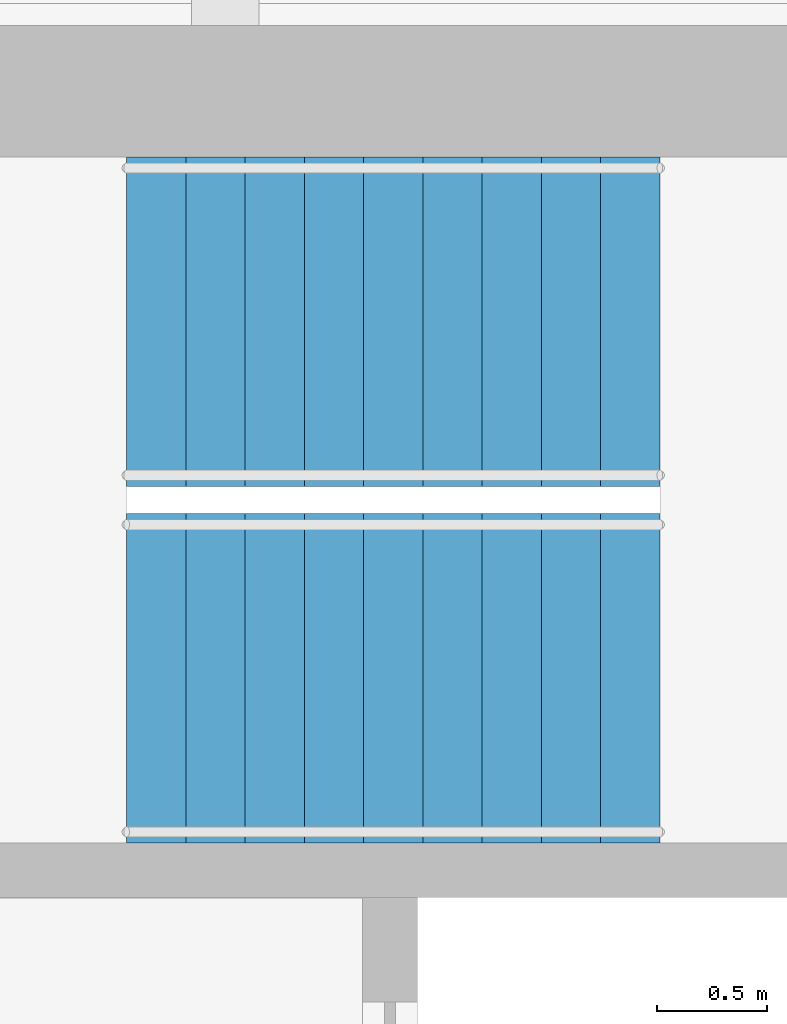
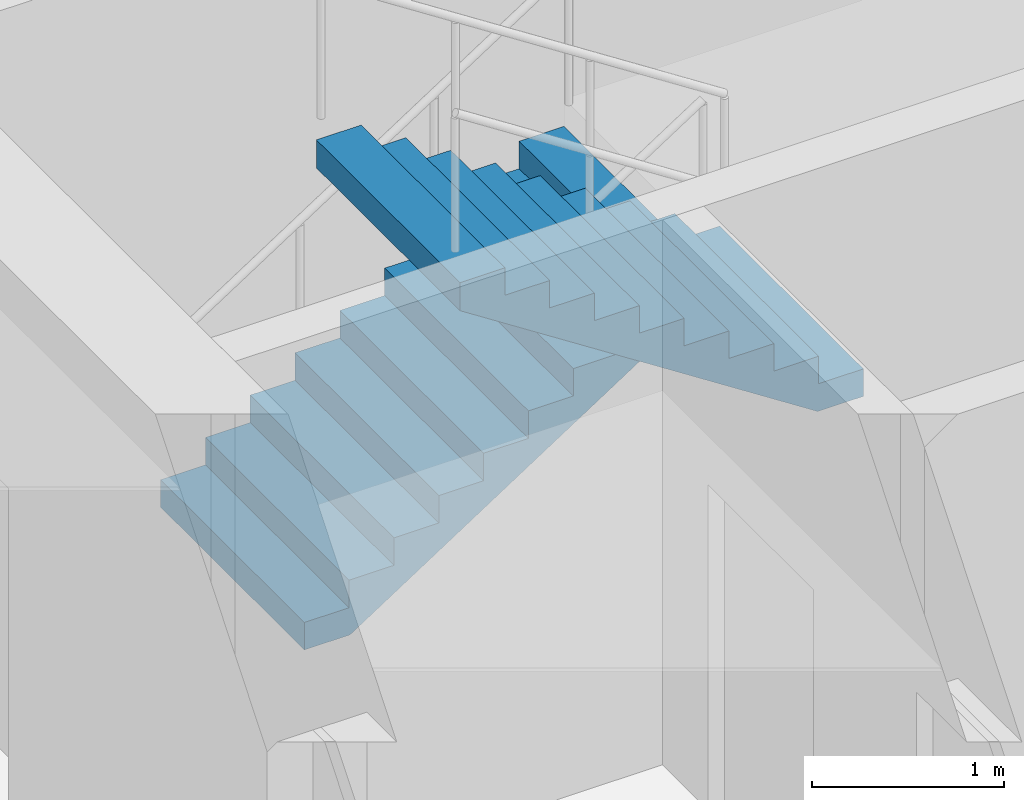
# One storey, part 16 of 21: 2 stair flights, 1 element without a shape of its own.
"""IFC4 building model written with IfcOpenShell, lengths in metres."""

from ifc_helpers import new_model, si_unit, direction, frame, origin, place, context, subcontext, project, spatial, polyline, outline, extrude, material, type_object, element, aggregate, save


model = new_model("IFC4")

# Units and contexts
model_context = context("Model", 3, precision=1e-05, world=origin(), true_north=direction((0.0, 1.0)))
body_context = subcontext(model_context, "Body", "Model", "MODEL_VIEW")
ifc_project = project(units=[si_unit("LENGTHUNIT", "METRE"), si_unit("AREAUNIT", "SQUARE_METRE"), si_unit("VOLUMEUNIT", "CUBIC_METRE"), si_unit("PLANEANGLEUNIT", "RADIAN"), si_unit("MASSUNIT", "GRAM", prefix="KILO")], contexts=[model_context])

# Site, building, storey
site_placement = place(None, origin())
site = spatial("IfcSite", under=ifc_project, at=site_placement, CompositionType="ELEMENT")
building_placement = place(site_placement, origin())
building = spatial("IfcBuilding", under=site, at=building_placement, Name="Msasa Ring Tower", CompositionType="ELEMENT")
storey_placement = place(building_placement, frame((0.0, 0.0, 30.0)))
storey = spatial("IfcBuildingStorey", under=building, at=storey_placement, Name="L06", CompositionType="ELEMENT", Elevation=30.0)

# Stair, stair flights
ifc_material_1 = material(Name="Concrete C40/50", Category="concrete")
stair_type = type_object("IfcStairType", Name="STC CORE STAIR 20 RISERS 175", PredefinedType="HALF_TURN_STAIR", material=ifc_material_1)
stair_placement = place(storey_placement, origin())
stair = element("IfcStair", 1, at=stair_placement, inside=storey, type_object=stair_type, Name="Core stair SEB L06", PredefinedType="HALF_TURN_STAIR")
ifc_material_2 = material(Name="Concrete C40/50", Category="concrete")
stair_flight_type = type_object("IfcStairFlightType", Name="ST12 CORE STAIR FLIGHT 1500 10 RISERS 175", PredefinedType="STRAIGHT", material=ifc_material_2)
stair_flight_1_placement = place(storey_placement, frame((10.800048828125, 5.699951171875, 0.0), z_axis=(0.0, 0.0, 1.0), x_axis=(1.0, 0.0, 0.0)))
stair_flight_1 = element("IfcStairFlight", 2, at=stair_flight_1_placement, type_object=stair_flight_type, Name="SEB flight 1", NumberOfRisers=10, NumberOfTreads=9, PredefinedType="STRAIGHT", RiserHeight=0.175, TreadLength=0.27, context=body_context, shape_type="SweptSolid", body=[
    extrude(outline(polyline([(0.0, 0.0), (0.0, 0.175048828125), (0.27001953125, 0.175048828125), (0.27001953125, 0.35009765625), (0.5400390625, 0.35009765625), (0.5400390625, 0.52490234375), (0.81005859375, 0.52490234375), (0.81005859375, 0.699951171875), (1.080078125, 0.699951171875), (1.080078125, 0.875), (1.35009765625, 0.875), (1.35009765625, 1.050048828125), (1.6201171875, 1.050048828125), (1.6201171875, 1.22509765625), (1.889892578125, 1.22509765625), (1.889892578125, 1.39990234375), (2.159912109375, 1.39990234375), (2.159912109375, 1.574951171875), (2.429931640625, 1.574951171875), (2.429931640625, 1.75), (2.429931640625, 1.396484375), (0.275634765625, 0.0), (0.0, 0.0)])), frame((0.0, 0.75, 0.0), z_axis=(0.0, -1.0, 0.0), x_axis=(1.0, 0.0, 0.0)), (0.0, 0.0, 1.0), 1.5),
])
stair_flight_2_placement = place(storey_placement, frame((13.22998046875, 4.074951171875, 1.75), z_axis=(0.0, 0.0, 1.0), x_axis=(-1.0, 0.0, 0.0)))
stair_flight_2 = element("IfcStairFlight", 3, at=stair_flight_2_placement, type_object=stair_flight_type, Name="SEB flight 2", NumberOfRisers=10, NumberOfTreads=9, PredefinedType="STRAIGHT", RiserHeight=0.175, TreadLength=0.27, context=body_context, shape_type="SweptSolid", body=[
    extrude(outline(polyline([(0.0, 0.0), (0.0, 0.175048828125), (0.27001953125, 0.175048828125), (0.27001953125, 0.35009765625), (0.5400390625, 0.35009765625), (0.5400390625, 0.52490234375), (0.81005859375, 0.52490234375), (0.81005859375, 0.699951171875), (1.080078125, 0.699951171875), (1.080078125, 0.875), (1.35009765625, 0.875), (1.35009765625, 1.050048828125), (1.6201171875, 1.050048828125), (1.6201171875, 1.22509765625), (1.889892578125, 1.22509765625), (1.889892578125, 1.39990234375), (2.159912109375, 1.39990234375), (2.159912109375, 1.574951171875), (2.429931640625, 1.574951171875), (2.429931640625, 1.75), (2.429931640625, 1.396484375), (0.275634765625, 0.0), (0.0, 0.0)])), frame((0.0, 0.75, 0.0), z_axis=(0.0, -1.0, 0.0), x_axis=(1.0, 0.0, 0.0)), (0.0, 0.0, 1.0), 1.5),
])
aggregate(stair, [stair_flight_1, stair_flight_2])

save(model, "model.ifc")
